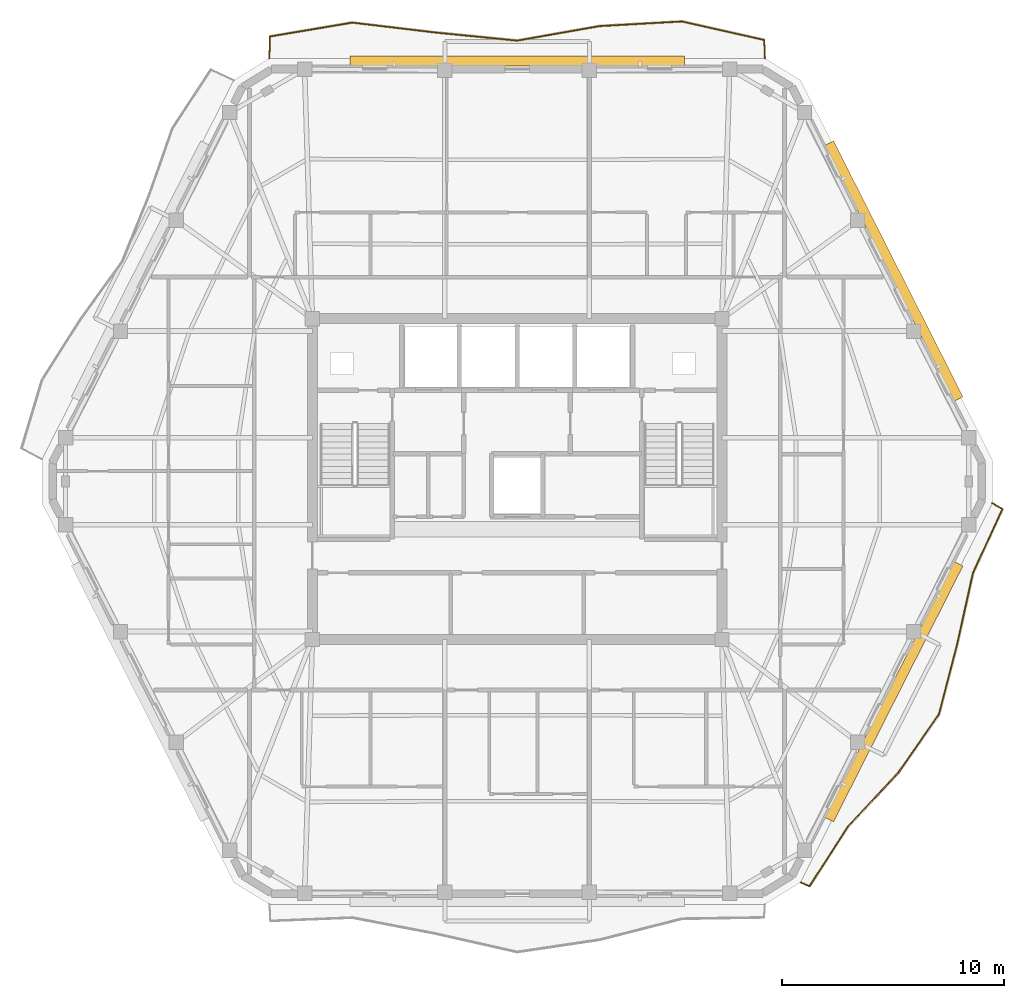
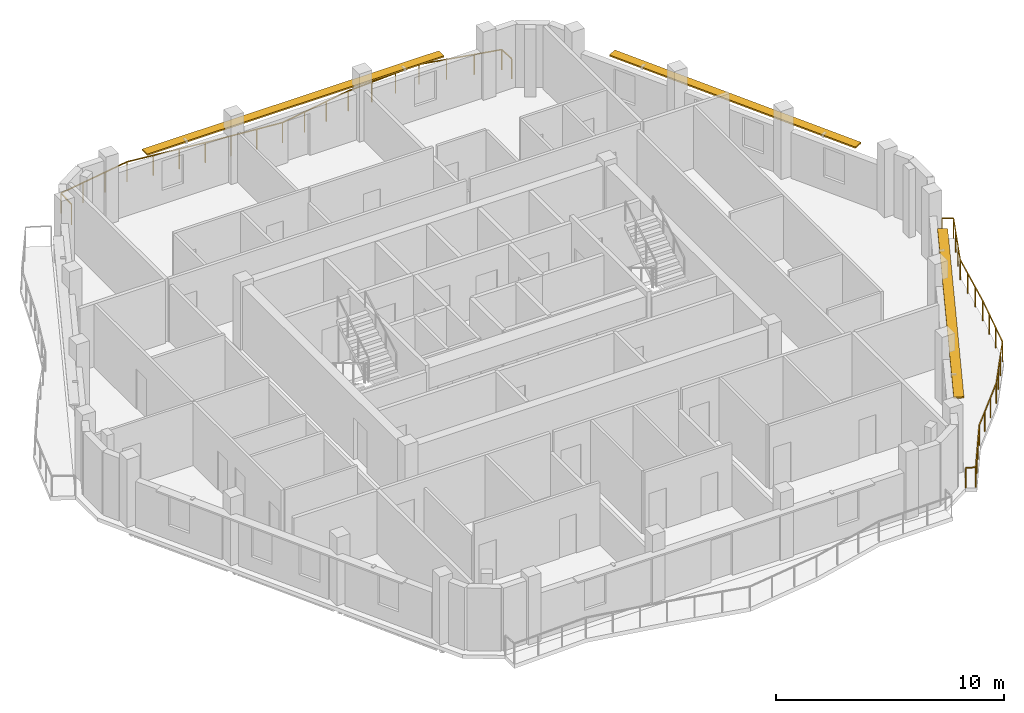
# One storey, part 11 of 11: 3 shading devices, 2 railings.
"""IFC4 building model written with IfcOpenShell, lengths in metres."""

from ifc_helpers import new_model, si_unit, direction, frame, origin, origin_2d, place, context, subcontext, project, spatial, rectangle, extrude, material, layer, layer_set, type_object, element, save


model = new_model("IFC4")

# Units and contexts
model_context = context("Model", 3, precision=1e-05, world=origin(), true_north=direction((0.0, 1.0)))
body_context = subcontext(model_context, "Body", "Model", "MODEL_VIEW")
ifc_project = project(units=[si_unit("LENGTHUNIT", "METRE"), si_unit("AREAUNIT", "SQUARE_METRE"), si_unit("VOLUMEUNIT", "CUBIC_METRE"), si_unit("PLANEANGLEUNIT", "RADIAN"), si_unit("MASSUNIT", "GRAM", prefix="KILO")], contexts=[model_context])

# Site, building, storey
site_placement = place(None, origin())
site = spatial("IfcSite", under=ifc_project, at=site_placement, CompositionType="ELEMENT")
building_placement = place(site_placement, origin())
building = spatial("IfcBuilding", under=site, at=building_placement, Name="Cinnabar Lancet Tower", CompositionType="ELEMENT")
storey_placement = place(building_placement, frame((0.0, 0.0, 274.449951171875)))
storey = spatial("IfcBuildingStorey", under=building, at=storey_placement, Name="L73", CompositionType="ELEMENT", Elevation=274.449951171875)

# Railings
ifc_material_1 = material(Name="Laminated safety glass and bronze stainless steel balustrade", Category="steel")
railing_type = type_object("IfcRailingType", Name="ENV-RLG-BAL-1100", PredefinedType="BALUSTRADE", material=ifc_material_1)
railing_1_placement = place(storey_placement, frame((45.160888671875, 7.73193359375, 0.0)))
element("IfcRailing", 1, at=railing_1_placement, inside=storey, type_object=railing_type, Name="L73 Face 2 Wave Balcony Balustrade", PredefinedType="BALUSTRADE", context=body_context, shape_type="SweptSolid", body=[
    extrude(rectangle(XDim=0.048095703125, YDim=0.048095703125, at=origin_2d()), frame((0.0, 0.0, 1.076171875), z_axis=(0.922928723059, -0.384970871824, 0.0), x_axis=(0.384970871824, 0.922928723059, 0.0)), (0.0, 0.0, 1.0), 0.43896484375),
    extrude(rectangle(XDim=0.048095703125, YDim=0.048095703125, at=origin_2d()), frame((0.405029296875, -0.1689453125, 1.076171875), z_axis=(0.541266449113, 0.840851134901, 0.0), x_axis=(-0.840851134901, 0.541266449113, 0.0)), (0.0, 0.0, 1.0), 3.2001953125),
    extrude(rectangle(XDim=0.048095703125, YDim=0.048095703125, at=origin_2d()), frame((2.13720703125, 2.52197265625, 1.076171875), z_axis=(0.683129234998, 0.730297506699, 0.0), x_axis=(-0.730297506699, 0.683129234998, 0.0)), (0.0, 0.0, 1.0), 3.3125),
    extrude(rectangle(XDim=0.048095703125, YDim=0.048095703125, at=origin_2d()), frame((4.400146484375, 4.941162109375, 1.076171875), z_axis=(0.571385021153, 0.820682129452, 0.0), x_axis=(-0.820682129452, 0.571385021153, 0.0)), (0.0, 0.0, 1.0), 3.213134765625),
    extrude(rectangle(XDim=0.048095703125, YDim=0.048095703125, at=origin_2d()), frame((6.236083984375, 7.578125, 1.076171875), z_axis=(0.251459531869, 0.967867813202, 0.0), x_axis=(-0.967867813202, 0.251459531869, 0.0)), (0.0, 0.0, 1.0), 3.25341796875),
    extrude(rectangle(XDim=0.048095703125, YDim=0.048095703125, at=origin_2d()), frame((7.05419921875, 10.72705078125, 1.076171875), z_axis=(0.216552489574, 0.976270976348, 0.0), x_axis=(-0.976270976348, 0.216552489574, 0.0)), (0.0, 0.0, 1.0), 3.282958984375),
    extrude(rectangle(XDim=0.048095703125, YDim=0.048095703125, at=origin_2d()), frame((7.76513671875, 13.93212890625, 1.076171875), z_axis=(0.4179979933, 0.908447949856, 0.0), x_axis=(-0.908447949856, 0.4179979933, 0.0)), (0.0, 0.0, 1.0), 3.184326171875),
    extrude(rectangle(XDim=0.048095703125, YDim=0.048095703125, at=origin_2d()), frame((9.09619140625, 16.824951171875, 1.076171875), z_axis=(-0.866805594307, 0.498646228983, 0.0), x_axis=(-0.498646228983, -0.866805594307, 0.0)), (0.0, 0.0, 1.0), 0.52392578125),
    extrude(rectangle(XDim=0.0419921875, YDim=0.0419921875, at=origin_2d()), origin(), (0.0, 0.0, 1.0), 1.052001953125),
    extrude(rectangle(XDim=0.0419921875, YDim=0.0419921875, at=origin_2d()), frame((0.405029296875, -0.1689453125, 0.0)), (0.0, 0.0, 1.0), 1.052001953125),
    extrude(rectangle(XDim=0.0419921875, YDim=0.0419921875, at=origin_2d()), frame((0.982421875, 0.72802734375, 0.0)), (0.0, 0.0, 1.0), 1.052001953125),
    extrude(rectangle(XDim=0.0419921875, YDim=0.0419921875, at=origin_2d()), frame((1.559814453125, 1.625, 0.0)), (0.0, 0.0, 1.0), 1.052001953125),
    extrude(rectangle(XDim=0.0419921875, YDim=0.0419921875, at=origin_2d()), frame((2.13720703125, 2.52197265625, 0.0)), (0.0, 0.0, 1.0), 1.052001953125),
    extrude(rectangle(XDim=0.0419921875, YDim=0.0419921875, at=origin_2d()), frame((2.8916015625, 3.328369140625, 0.0)), (0.0, 0.0, 1.0), 1.052001953125),
    extrude(rectangle(XDim=0.0419921875, YDim=0.0419921875, at=origin_2d()), frame((3.645751953125, 4.134765625, 0.0)), (0.0, 0.0, 1.0), 1.052001953125),
    extrude(rectangle(XDim=0.0419921875, YDim=0.0419921875, at=origin_2d()), frame((4.400146484375, 4.941162109375, 0.0)), (0.0, 0.0, 1.0), 1.052001953125),
    extrude(rectangle(XDim=0.0419921875, YDim=0.0419921875, at=origin_2d()), frame((5.01220703125, 5.820068359375, 0.0)), (0.0, 0.0, 1.0), 1.052001953125),
    extrude(rectangle(XDim=0.0419921875, YDim=0.0419921875, at=origin_2d()), frame((5.6240234375, 6.69921875, 0.0)), (0.0, 0.0, 1.0), 1.052001953125),
    extrude(rectangle(XDim=0.0419921875, YDim=0.0419921875, at=origin_2d()), frame((6.236083984375, 7.578125, 0.0)), (0.0, 0.0, 1.0), 1.052001953125),
    extrude(rectangle(XDim=0.0419921875, YDim=0.0419921875, at=origin_2d()), frame((6.5087890625, 8.627685546875, 0.0)), (0.0, 0.0, 1.0), 1.052001953125),
    extrude(rectangle(XDim=0.0419921875, YDim=0.0419921875, at=origin_2d()), frame((6.781494140625, 9.677490234375, 0.0)), (0.0, 0.0, 1.0), 1.052001953125),
    extrude(rectangle(XDim=0.0419921875, YDim=0.0419921875, at=origin_2d()), frame((7.05419921875, 10.72705078125, 0.0)), (0.0, 0.0, 1.0), 1.052001953125),
    extrude(rectangle(XDim=0.0419921875, YDim=0.0419921875, at=origin_2d()), frame((7.291259765625, 11.79541015625, 0.0)), (0.0, 0.0, 1.0), 1.052001953125),
    extrude(rectangle(XDim=0.0419921875, YDim=0.0419921875, at=origin_2d()), frame((7.528076171875, 12.86376953125, 0.0)), (0.0, 0.0, 1.0), 1.052001953125),
    extrude(rectangle(XDim=0.0419921875, YDim=0.0419921875, at=origin_2d()), frame((7.76513671875, 13.93212890625, 0.0)), (0.0, 0.0, 1.0), 1.052001953125),
    extrude(rectangle(XDim=0.0419921875, YDim=0.0419921875, at=origin_2d()), frame((8.208740234375, 14.896484375, 0.0)), (0.0, 0.0, 1.0), 1.052001953125),
    extrude(rectangle(XDim=0.0419921875, YDim=0.0419921875, at=origin_2d()), frame((8.652587890625, 15.860595703125, 0.0)), (0.0, 0.0, 1.0), 1.052001953125),
    extrude(rectangle(XDim=0.0419921875, YDim=0.0419921875, at=origin_2d()), frame((9.09619140625, 16.824951171875, 0.0)), (0.0, 0.0, 1.0), 1.052001953125),
    extrude(rectangle(XDim=0.0419921875, YDim=0.0419921875, at=origin_2d()), frame((8.64208984375, 17.086181640625, 0.0)), (0.0, 0.0, 1.0), 1.052001953125),
])
railing_2_placement = place(storey_placement, frame((43.56396484375, 44.85009765625, 0.0)))
element("IfcRailing", 2, at=railing_2_placement, inside=storey, type_object=railing_type, Name="L73 Face 4 Wave Balcony Balustrade", PredefinedType="BALUSTRADE", context=body_context, shape_type="SweptSolid", body=[
    extrude(rectangle(XDim=0.048095703125, YDim=0.048095703125, at=origin_2d()), frame((0.0, 0.0, 1.076171875), z_axis=(-0.041101669352, 0.99915496935, 0.0), x_axis=(-0.99915496935, -0.041101669352, 0.0)), (0.0, 0.0, 1.0), 0.82568359375),
    extrude(rectangle(XDim=0.048095703125, YDim=0.048095703125, at=origin_2d()), frame((-0.033935546875, 0.824951171875, 1.076171875), z_axis=(-0.975609756098, 0.219512195122, 0.0), x_axis=(-0.219512195122, -0.975609756098, 0.0)), (0.0, 0.0, 1.0), 3.8037109375),
    extrude(rectangle(XDim=0.048095703125, YDim=0.048095703125, at=origin_2d()), frame((-3.744873046875, 1.659912109375, 1.076171875), z_axis=(-0.99841740465, -0.056237763926, 0.0), x_axis=(0.056237763926, -0.99841740465, 0.0)), (0.0, 0.0, 1.0), 3.716064453125),
    extrude(rectangle(XDim=0.048095703125, YDim=0.048095703125, at=origin_2d()), frame((-7.455078125, 1.450927734375, 1.076171875), z_axis=(-0.984805086722, -0.173663298271, 0.0), x_axis=(0.173663298271, -0.984805086722, 0.0)), (0.0, 0.0, 1.0), 3.76611328125),
    extrude(rectangle(XDim=0.048095703125, YDim=0.048095703125, at=origin_2d()), frame((-11.1640625, 0.796875, 1.076171875), z_axis=(-0.995113443557, 0.098738211709, 0.0), x_axis=(-0.098738211709, -0.995113443557, 0.0)), (0.0, 0.0, 1.0), 3.726318359375),
    extrude(rectangle(XDim=0.048095703125, YDim=0.048095703125, at=origin_2d()), frame((-14.8720703125, 1.164794921875, 1.076171875), z_axis=(-0.992915423927, 0.118823233955, 0.0), x_axis=(-0.118823233955, -0.992915423927, 0.0)), (0.0, 0.0, 1.0), 3.7373046875),
    extrude(rectangle(XDim=0.048095703125, YDim=0.048095703125, at=origin_2d()), frame((-18.5830078125, 1.60888671875, 1.076171875), z_axis=(-0.986111943663, -0.166082011564, 0.0), x_axis=(0.166082011564, -0.986111943663, 0.0)), (0.0, 0.0, 1.0), 3.76318359375),
    extrude(rectangle(XDim=0.048095703125, YDim=0.048095703125, at=origin_2d()), frame((-22.2939453125, 0.98388671875, 1.076171875), z_axis=(-0.034470817113, -0.99940570479, 0.0), x_axis=(0.99940570479, -0.034470817113, 0.0)), (0.0, 0.0, 1.0), 0.984375),
    extrude(rectangle(XDim=0.0419921875, YDim=0.0419921875, at=origin_2d()), origin(), (0.0, 0.0, 1.0), 1.052001953125),
    extrude(rectangle(XDim=0.0419921875, YDim=0.0419921875, at=origin_2d()), frame((-0.033935546875, 0.824951171875, 0.0)), (0.0, 0.0, 1.0), 1.052001953125),
    extrude(rectangle(XDim=0.0419921875, YDim=0.0419921875, at=origin_2d()), frame((-1.27099609375, 1.103271484375, 0.0)), (0.0, 0.0, 1.0), 1.052001953125),
    extrude(rectangle(XDim=0.0419921875, YDim=0.0419921875, at=origin_2d()), frame((-2.5078125, 1.381591796875, 0.0)), (0.0, 0.0, 1.0), 1.052001953125),
    extrude(rectangle(XDim=0.0419921875, YDim=0.0419921875, at=origin_2d()), frame((-3.744873046875, 1.659912109375, 0.0)), (0.0, 0.0, 1.0), 1.052001953125),
    extrude(rectangle(XDim=0.0419921875, YDim=0.0419921875, at=origin_2d()), frame((-4.981689453125, 1.59033203125, 0.0)), (0.0, 0.0, 1.0), 1.052001953125),
    extrude(rectangle(XDim=0.0419921875, YDim=0.0419921875, at=origin_2d()), frame((-6.21826171875, 1.5205078125, 0.0)), (0.0, 0.0, 1.0), 1.052001953125),
    extrude(rectangle(XDim=0.0419921875, YDim=0.0419921875, at=origin_2d()), frame((-7.455078125, 1.450927734375, 0.0)), (0.0, 0.0, 1.0), 1.052001953125),
    extrude(rectangle(XDim=0.0419921875, YDim=0.0419921875, at=origin_2d()), frame((-8.69140625, 1.23291015625, 0.0)), (0.0, 0.0, 1.0), 1.052001953125),
    extrude(rectangle(XDim=0.0419921875, YDim=0.0419921875, at=origin_2d()), frame((-9.927734375, 1.014892578125, 0.0)), (0.0, 0.0, 1.0), 1.052001953125),
    extrude(rectangle(XDim=0.0419921875, YDim=0.0419921875, at=origin_2d()), frame((-11.1640625, 0.796875, 0.0)), (0.0, 0.0, 1.0), 1.052001953125),
    extrude(rectangle(XDim=0.0419921875, YDim=0.0419921875, at=origin_2d()), frame((-12.400146484375, 0.91943359375, 0.0)), (0.0, 0.0, 1.0), 1.052001953125),
    extrude(rectangle(XDim=0.0419921875, YDim=0.0419921875, at=origin_2d()), frame((-13.635986328125, 1.042236328125, 0.0)), (0.0, 0.0, 1.0), 1.052001953125),
    extrude(rectangle(XDim=0.0419921875, YDim=0.0419921875, at=origin_2d()), frame((-14.8720703125, 1.164794921875, 0.0)), (0.0, 0.0, 1.0), 1.052001953125),
    extrude(rectangle(XDim=0.0419921875, YDim=0.0419921875, at=origin_2d()), frame((-16.109130859375, 1.312744140625, 0.0)), (0.0, 0.0, 1.0), 1.052001953125),
    extrude(rectangle(XDim=0.0419921875, YDim=0.0419921875, at=origin_2d()), frame((-17.345947265625, 1.4609375, 0.0)), (0.0, 0.0, 1.0), 1.052001953125),
    extrude(rectangle(XDim=0.0419921875, YDim=0.0419921875, at=origin_2d()), frame((-18.5830078125, 1.60888671875, 0.0)), (0.0, 0.0, 1.0), 1.052001953125),
    extrude(rectangle(XDim=0.0419921875, YDim=0.0419921875, at=origin_2d()), frame((-19.820068359375, 1.400634765625, 0.0)), (0.0, 0.0, 1.0), 1.052001953125),
    extrude(rectangle(XDim=0.0419921875, YDim=0.0419921875, at=origin_2d()), frame((-21.056884765625, 1.192138671875, 0.0)), (0.0, 0.0, 1.0), 1.052001953125),
    extrude(rectangle(XDim=0.0419921875, YDim=0.0419921875, at=origin_2d()), frame((-22.2939453125, 0.98388671875, 0.0)), (0.0, 0.0, 1.0), 1.052001953125),
    extrude(rectangle(XDim=0.0419921875, YDim=0.0419921875, at=origin_2d()), frame((-22.327880859375, 0.0, 0.0)), (0.0, 0.0, 1.0), 1.052001953125),
])

# Shading devices
ifc_material_2 = material(Name="Pale limestone architectural aluminium sunshade", Category="masonry")
ifc_layer = layer(ifc_material_2, 0.080078125)
ifc_layer_set = layer_set([ifc_layer], Name="Pale limestone architectural aluminium sunshade")
shading_device_type = type_object("IfcShadingDeviceType", Name="ENV-SHD-LVR-450", PredefinedType="JALOUSIE", material=ifc_layer_set)
for number, where, z_axis, x_axis, name in (
    (3, (49.364013671875, 16.330078125, 2.639892578125), (0.0, 0.0, 1.0), (0.451375984307, 0.89233386173, 0.0), "L73 Face 2 Horizontal Sunshade Canopy"),
    (4, (49.364013671875, 35.27001953125, 2.639892578125), (0.0, 0.0, 1.0), (-0.451375984307, 0.89233386173, 0.0), "L73 Face 3 Horizontal Sunshade Canopy"),
):
    element("IfcShadingDevice", number, at=place(storey_placement, frame(where, z_axis=z_axis, x_axis=x_axis)), inside=storey, type_object=shading_device_type, Name=name, PredefinedType="JALOUSIE", context=body_context, shape_type="SweptSolid", body=[
        extrude(rectangle(XDim=12.912109375, YDim=0.449951171875, at=origin_2d()), origin(), (0.0, 0.0, 1.0), 0.080078125),
    ])
shading_device_placement = place(storey_placement, frame((32.39990234375, 44.719970703125, 2.639892578125), z_axis=(0.0, 0.0, 1.0), x_axis=(-1.0, 0.0, 0.0)))
element("IfcShadingDevice", 5, at=shading_device_placement, inside=storey, type_object=shading_device_type, Name="L73 Face 4 Horizontal Sunshade Canopy", PredefinedType="JALOUSIE", context=body_context, shape_type="SweptSolid", body=[
    extrude(rectangle(XDim=15.06103515625, YDim=0.449951171875, at=origin_2d()), origin(), (0.0, 0.0, 1.0), 0.080078125),
])

save(model, "model.ifc")
